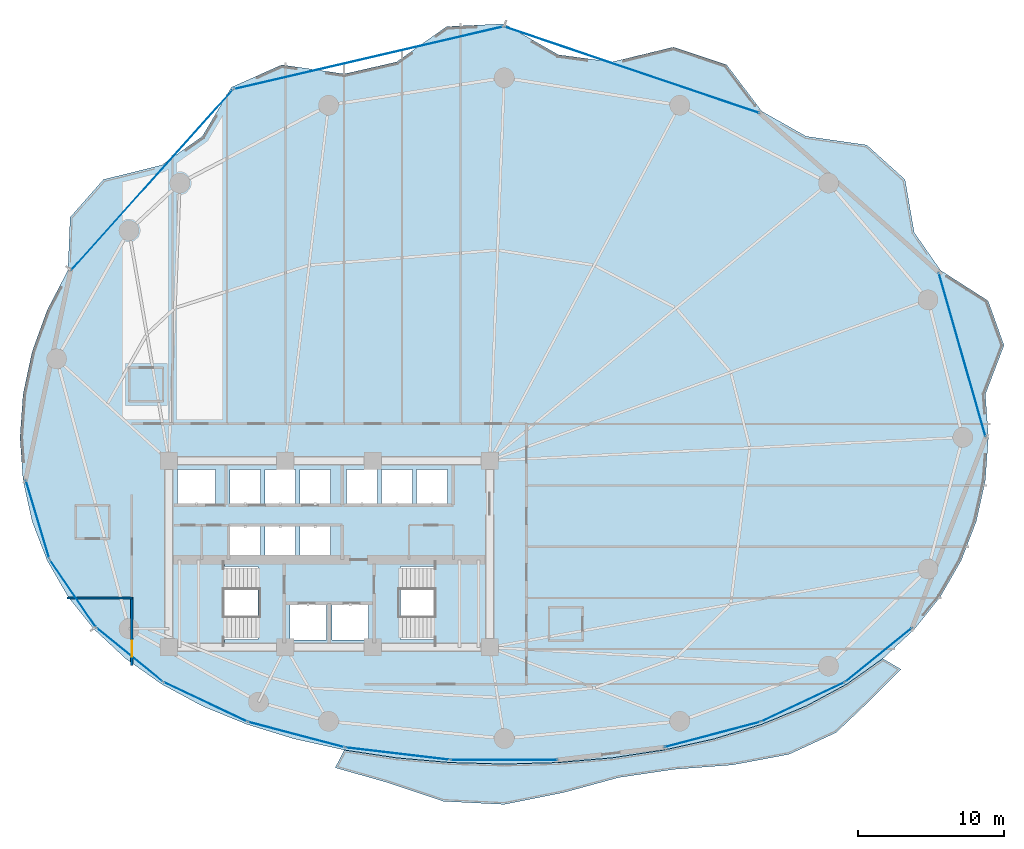
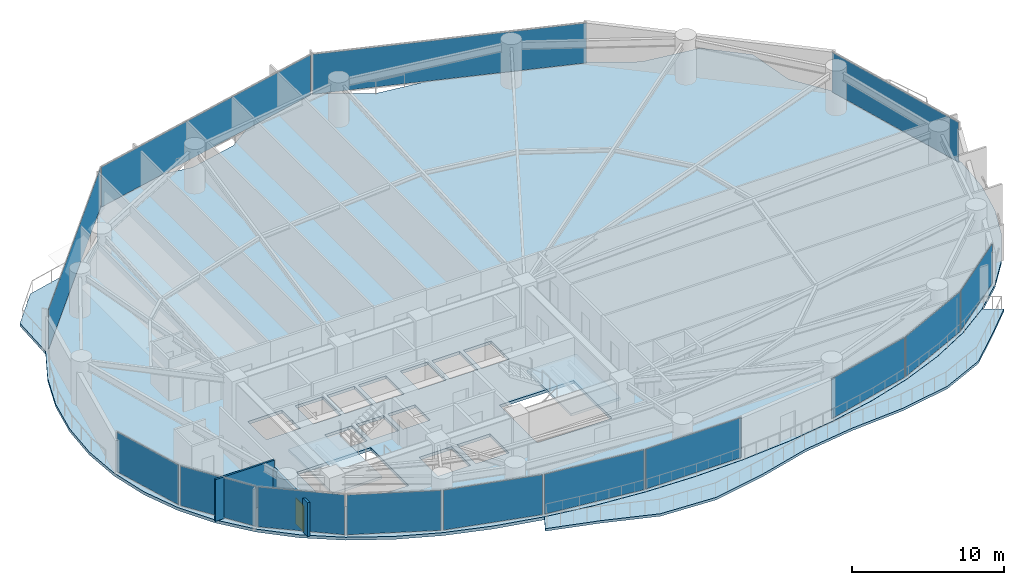
# One storey, part 25 of 31: 14 plates, 4 slabs, 2 walls, 1 door, 1 opening, 16 elements without a shape of their own.
"""IFC4 building model written with IfcOpenShell, lengths in metres."""

from ifc_helpers import new_model, si_unit, direction, frame, frame_2d, origin, origin_2d, place, context, subcontext, project, spatial, polyline, rectangle, outline, extrude, material, layer, layer_set, type_object, element, fill, aggregate, save


model = new_model("IFC4")

# Units and contexts
model_context = context("Model", 3, precision=1e-05, world=origin(), true_north=direction((0.0, 1.0)))
body_context = subcontext(model_context, "Body", "Model", "MODEL_VIEW")
ifc_project = project(units=[si_unit("LENGTHUNIT", "METRE"), si_unit("AREAUNIT", "SQUARE_METRE"), si_unit("VOLUMEUNIT", "CUBIC_METRE"), si_unit("PLANEANGLEUNIT", "RADIAN"), si_unit("MASSUNIT", "GRAM", prefix="KILO")], contexts=[model_context])

# Site, building, storey
site_placement = place(None, origin())
site = spatial("IfcSite", under=ifc_project, at=site_placement, CompositionType="ELEMENT")
building_placement = place(site_placement, origin())
building = spatial("IfcBuilding", under=site, at=building_placement, Name="Kazevale Care Tower and Concert Hall", CompositionType="ELEMENT")
storey_placement = place(building_placement, frame((0.0, 0.0, 81.60009765625)))
storey = spatial("IfcBuildingStorey", under=building, at=storey_placement, Name="L21", CompositionType="ELEMENT", Elevation=81.60009765625)

# Curtain wall, plate
ifc_material_1 = material(Name="Aluminium 6063-T6 and Low-E Glass", Category="aluminium")
ifc_layer_1 = layer(ifc_material_1, 0.179931640625)
ifc_layer_set_1 = layer_set([ifc_layer_1], Name="Aluminium 6063-T6 and Low-E Glass")
curtain_wall_type_1 = type_object("IfcCurtainWallType", Name="Convex Checkerboard Finned Curtain Wall CW-2", PredefinedType="NOTDEFINED", material=ifc_layer_set_1)
curtain_wall_1_placement = place(storey_placement, origin())
curtain_wall_1 = element("IfcCurtainWall", 1, at=curtain_wall_1_placement, inside=storey, type_object=curtain_wall_type_1, Name="cw:L21:f14", PredefinedType="NOTDEFINED")
ifc_material_2 = material(Name="Low-E Laminated Glass", Category="glass")
ifc_layer_2 = layer(ifc_material_2, 0.028076171875)
ifc_layer_set_2 = layer_set([ifc_layer_2], Name="Low-E Laminated Glass")
plate_type_1 = type_object("IfcPlateType", Name="CW-2 Low-E Glazing Panel 28mm", PredefinedType="CURTAIN_PANEL", material=ifc_layer_set_2)
plate_1_placement = place(storey_placement, frame((20.845458984375, 55.635009765625, 0.074951171875), z_axis=(0.0, 0.0, 1.0), x_axis=(0.667264908262, 0.744820476493, 0.0)))
plate_1 = element("IfcPlate", 2, at=plate_1_placement, type_object=plate_type_1, Name="CW-2 panel 1.1", PredefinedType="CURTAIN_PANEL", context=body_context, shape_type="SweptSolid", body=[
    extrude(rectangle(XDim=16.5634765625, YDim=0.028076171875, at=origin_2d()), origin(), (0.0, 0.0, 1.0), 3.2099609375),
])
aggregate(curtain_wall_1, [plate_1])

curtain_wall_2_placement = place(storey_placement, origin())
curtain_wall_2 = element("IfcCurtainWall", 3, at=curtain_wall_2_placement, inside=storey, type_object=curtain_wall_type_1, Name="cw:L21:f16", PredefinedType="NOTDEFINED")
plate_2_placement = place(storey_placement, frame((53.7490234375, 63.19140625, 0.074951171875), z_axis=(0.0, 0.0, 1.0), x_axis=(0.947202632135, -0.320635577685, 0.0)))
plate_2 = element("IfcPlate", 4, at=plate_2_placement, type_object=plate_type_1, Name="CW-2 panel 1.1", PredefinedType="CURTAIN_PANEL", context=body_context, shape_type="SweptSolid", body=[
    extrude(rectangle(XDim=18.40625, YDim=0.028076171875, at=origin_2d()), origin(), (0.0, 0.0, 1.0), 3.2099609375),
])
aggregate(curtain_wall_2, [plate_2])

ifc_layer_3 = layer(ifc_material_1, 0.179931640625)
ifc_layer_set_3 = layer_set([ifc_layer_3], Name="Aluminium 6063-T6 and Low-E Glass")
curtain_wall_type_2 = type_object("IfcCurtainWallType", Name="Convex Recessed Sunroom Curtain Wall CW-3", PredefinedType="NOTDEFINED", material=ifc_layer_set_3)
curtain_wall_3_placement = place(storey_placement, origin())
curtain_wall_3 = element("IfcCurtainWall", 5, at=curtain_wall_3_placement, inside=storey, type_object=curtain_wall_type_2, Name="cw:L21:f15", PredefinedType="NOTDEFINED")
ifc_layer_4 = layer(ifc_material_2, 0.028076171875)
ifc_layer_set_4 = layer_set([ifc_layer_4], Name="Low-E Laminated Glass")
plate_type_2 = type_object("IfcPlateType", Name="CW-3 Low-E Glazing Panel 28mm", PredefinedType="CURTAIN_PANEL", material=ifc_layer_set_4)
plate_3_placement = place(storey_placement, frame((35.6904296875, 64.015380859375, 0.074951171875), z_axis=(0.0, 0.0, 1.0), x_axis=(0.9740605916, 0.226287348061, 0.0)))
plate_3 = element("IfcPlate", 6, at=plate_3_placement, type_object=plate_type_2, Name="CW-3 panel 1.1", PredefinedType="CURTAIN_PANEL", context=body_context, shape_type="SweptSolid", body=[
    extrude(rectangle(XDim=18.87451171875, YDim=0.028076171875, at=origin_2d()), origin(), (0.0, 0.0, 1.0), 3.2099609375),
])
aggregate(curtain_wall_3, [plate_3])

ifc_layer_5 = layer(ifc_material_1, 0.179931640625)
ifc_layer_set_5 = layer_set([ifc_layer_5], Name="Aluminium 6063-T6 and Low-E Glass")
curtain_wall_type_3 = type_object("IfcCurtainWallType", Name="Waist & Upper Residential Curtain Wall CW-4", PredefinedType="NOTDEFINED", material=ifc_layer_set_5)
curtain_wall_4_placement = place(storey_placement, origin())
curtain_wall_4 = element("IfcCurtainWall", 7, at=curtain_wall_4_placement, inside=storey, type_object=curtain_wall_type_3, Name="cw:L21:f11", PredefinedType="NOTDEFINED")
ifc_layer_6 = layer(ifc_material_2, 0.030029296875)
ifc_layer_set_6 = layer_set([ifc_layer_6], Name="Low-E Laminated Glass")
plate_type_3 = type_object("IfcPlateType", Name="CW-4 Low-E Glazing Panel 30mm", PredefinedType="CURTAIN_PANEL", material=ifc_layer_set_6)
plate_4_placement = place(storey_placement, frame((15.423583984375, 27.298095703125, 0.080078125), z_axis=(0.0, 0.0, 1.0), x_axis=(-0.563665236801, 0.826003329789, 0.0)))
plate_4 = element("IfcPlate", 8, at=plate_4_placement, type_object=plate_type_3, Name="CW-4 panel 1.1", PredefinedType="CURTAIN_PANEL", context=body_context, shape_type="SweptSolid", body=[
    extrude(rectangle(XDim=5.50830078125, YDim=0.030029296875, at=origin_2d()), origin(), (0.0, 0.0, 1.0), 3.199951171875),
])
aggregate(curtain_wall_4, [plate_4])

curtain_wall_5_placement = place(storey_placement, origin())
curtain_wall_5 = element("IfcCurtainWall", 9, at=curtain_wall_5_placement, inside=storey, type_object=curtain_wall_type_3, Name="cw:L21:f12", PredefinedType="NOTDEFINED")
plate_5_placement = place(storey_placement, frame((13.006591796875, 32.364990234375, 0.080078125), z_axis=(0.0, 0.0, 1.0), x_axis=(-0.287895747909, 0.957661755703, 0.0)))
plate_5 = element("IfcPlate", 10, at=plate_5_placement, type_object=plate_type_3, Name="CW-4 panel 1.1", PredefinedType="CURTAIN_PANEL", context=body_context, shape_type="SweptSolid", body=[
    extrude(rectangle(XDim=5.532958984375, YDim=0.030029296875, at=origin_2d()), origin(), (0.0, 0.0, 1.0), 3.199951171875),
])
aggregate(curtain_wall_5, [plate_5])

curtain_wall_6_placement = place(storey_placement, origin())
curtain_wall_6 = element("IfcCurtainWall", 11, at=curtain_wall_6_placement, inside=storey, type_object=curtain_wall_type_3, Name="cw:L21:f18", PredefinedType="NOTDEFINED")
plate_6_placement = place(storey_placement, frame((76.402587890625, 43.660888671875, 0.080078125), z_axis=(0.0, 0.0, 1.0), x_axis=(0.274732344388, -0.961520742858, 0.0)))
plate_6 = element("IfcPlate", 12, at=plate_6_placement, type_object=plate_type_3, Name="CW-4 panel 1.1", PredefinedType="CURTAIN_PANEL", context=body_context, shape_type="SweptSolid", body=[
    extrude(rectangle(XDim=11.614990234375, YDim=0.030029296875, at=origin_2d()), origin(), (0.0, 0.0, 1.0), 3.199951171875),
])
aggregate(curtain_wall_6, [plate_6])

ifc_layer_7 = layer(ifc_material_1, 0.179931640625)
ifc_layer_set_7 = layer_set([ifc_layer_7], Name="Aluminium 6063-T6 and Low-E Glass")
curtain_wall_type_4 = type_object("IfcCurtainWallType", Name="Sheltered Concave Balcony Curtain Wall CW-5", PredefinedType="NOTDEFINED", material=ifc_layer_set_7)
curtain_wall_7_placement = place(storey_placement, origin())
curtain_wall_7 = element("IfcCurtainWall", 13, at=curtain_wall_7_placement, inside=storey, type_object=curtain_wall_type_4, Name="cw:L21:f02", PredefinedType="NOTDEFINED")
ifc_layer_8 = layer(ifc_material_2, 0.02587890625)
ifc_layer_set_8 = layer_set([ifc_layer_8], Name="Low-E Laminated Glass")
plate_type_4 = type_object("IfcPlateType", Name="CW-5 Low-E Glazing Panel 26mm", PredefinedType="CURTAIN_PANEL", material=ifc_layer_set_8)
plate_7_placement = place(storey_placement, frame((70.679931640625, 23.092041015625, 0.074951171875), z_axis=(0.0, 0.0, 1.0), x_axis=(-0.77659940539, -0.629994732952, 0.0)))
plate_7 = element("IfcPlate", 14, at=plate_7_placement, type_object=plate_type_4, Name="CW-5 panel 1.1", PredefinedType="CURTAIN_PANEL", context=body_context, shape_type="SweptSolid", body=[
    extrude(rectangle(XDim=5.770751953125, YDim=0.02587890625, at=origin_2d()), origin(), (0.0, 0.0, 1.0), 3.2099609375),
])
aggregate(curtain_wall_7, [plate_7])

curtain_wall_8_placement = place(storey_placement, origin())
curtain_wall_8 = element("IfcCurtainWall", 15, at=curtain_wall_8_placement, inside=storey, type_object=curtain_wall_type_4, Name="cw:L21:f03", PredefinedType="NOTDEFINED")
plate_8_placement = place(storey_placement, frame((65.491943359375, 19.863037109375, 0.074951171875), z_axis=(0.0, 0.0, 1.0), x_axis=(-0.904278859092, -0.426942320459, 0.0)))
plate_8 = element("IfcPlate", 16, at=plate_8_placement, type_object=plate_type_4, Name="CW-5 panel 1.1", PredefinedType="CURTAIN_PANEL", context=body_context, shape_type="SweptSolid", body=[
    extrude(rectangle(XDim=6.239501953125, YDim=0.02587890625, at=origin_2d()), origin(), (0.0, 0.0, 1.0), 3.2099609375),
])
aggregate(curtain_wall_8, [plate_8])

curtain_wall_9_placement = place(storey_placement, origin())
curtain_wall_9 = element("IfcCurtainWall", 17, at=curtain_wall_9_placement, inside=storey, type_object=curtain_wall_type_4, Name="cw:L21:f04", PredefinedType="NOTDEFINED")
plate_9_placement = place(storey_placement, frame((59.267578125, 17.6201171875, 0.074951171875), z_axis=(0.0, 0.0, 1.0), x_axis=(-0.966986230097, -0.254828630267, 0.0)))
plate_9 = element("IfcPlate", 18, at=plate_9_placement, type_object=plate_type_4, Name="CW-5 panel 1.1", PredefinedType="CURTAIN_PANEL", context=body_context, shape_type="SweptSolid", body=[
    extrude(rectangle(XDim=6.748779296875, YDim=0.02587890625, at=origin_2d()), origin(), (0.0, 0.0, 1.0), 3.2099609375),
])
aggregate(curtain_wall_9, [plate_9])

curtain_wall_10_placement = place(storey_placement, origin())
curtain_wall_10 = element("IfcCurtainWall", 19, at=curtain_wall_10_placement, inside=storey, type_object=curtain_wall_type_4, Name="cw:L21:f06", PredefinedType="NOTDEFINED")
plate_10_placement = place(storey_placement, frame((45.0, 15.885986328125, 0.074951171875), z_axis=(0.0, 0.0, 1.0), x_axis=(-1.0, 0.0, 0.0)))
plate_10 = element("IfcPlate", 20, at=plate_10_placement, type_object=plate_type_4, Name="CW-5 panel 1.1", PredefinedType="CURTAIN_PANEL", context=body_context, shape_type="SweptSolid", body=[
    extrude(rectangle(XDim=7.263916015625, YDim=0.02587890625, at=origin_2d()), origin(), (0.0, 0.0, 1.0), 3.2099609375),
])
aggregate(curtain_wall_10, [plate_10])

curtain_wall_11_placement = place(storey_placement, origin())
curtain_wall_11 = element("IfcCurtainWall", 21, at=curtain_wall_11_placement, inside=storey, type_object=curtain_wall_type_4, Name="cw:L21:f07", PredefinedType="NOTDEFINED")
plate_11_placement = place(storey_placement, frame((37.680419921875, 16.3134765625, 0.074951171875), z_axis=(0.0, 0.0, 1.0), x_axis=(-0.993070624294, 0.117519084253, 0.0)))
plate_11 = element("IfcPlate", 22, at=plate_11_placement, type_object=plate_type_4, Name="CW-5 panel 1.1", PredefinedType="CURTAIN_PANEL", context=body_context, shape_type="SweptSolid", body=[
    extrude(rectangle(XDim=7.12548828125, YDim=0.02587890625, at=origin_2d()), origin(), (0.0, 0.0, 1.0), 3.2099609375),
])
aggregate(curtain_wall_11, [plate_11])

curtain_wall_12_placement = place(storey_placement, origin())
curtain_wall_12 = element("IfcCurtainWall", 23, at=curtain_wall_12_placement, inside=storey, type_object=curtain_wall_type_4, Name="cw:L21:f08", PredefinedType="NOTDEFINED")
plate_12_placement = place(storey_placement, frame((30.732421875, 17.6201171875, 0.074951171875), z_axis=(0.0, 0.0, 1.0), x_axis=(-0.966986230097, 0.254828630267, 0.0)))
plate_12 = element("IfcPlate", 24, at=plate_12_placement, type_object=plate_type_4, Name="CW-5 panel 1.1", PredefinedType="CURTAIN_PANEL", context=body_context, shape_type="SweptSolid", body=[
    extrude(rectangle(XDim=6.748779296875, YDim=0.02587890625, at=origin_2d()), origin(), (0.0, 0.0, 1.0), 3.2099609375),
])
aggregate(curtain_wall_12, [plate_12])

curtain_wall_13_placement = place(storey_placement, origin())
curtain_wall_13 = element("IfcCurtainWall", 25, at=curtain_wall_13_placement, inside=storey, type_object=curtain_wall_type_4, Name="cw:L21:f09", PredefinedType="NOTDEFINED")
plate_13_placement = place(storey_placement, frame((24.508056640625, 19.863037109375, 0.074951171875), z_axis=(0.0, 0.0, 1.0), x_axis=(-0.904278859092, 0.426942320459, 0.0)))
plate_13 = element("IfcPlate", 26, at=plate_13_placement, type_object=plate_type_4, Name="CW-5 panel 1.1", PredefinedType="CURTAIN_PANEL", context=body_context, shape_type="SweptSolid", body=[
    extrude(rectangle(XDim=6.239501953125, YDim=0.02587890625, at=origin_2d()), origin(), (0.0, 0.0, 1.0), 3.2099609375),
])
aggregate(curtain_wall_13, [plate_13])

curtain_wall_14_placement = place(storey_placement, origin())
curtain_wall_14 = element("IfcCurtainWall", 27, at=curtain_wall_14_placement, inside=storey, type_object=curtain_wall_type_4, Name="cw:L21:f10", PredefinedType="NOTDEFINED")
plate_14_placement = place(storey_placement, frame((19.320068359375, 23.092041015625, 0.074951171875), z_axis=(0.0, 0.0, 1.0), x_axis=(-0.77659940539, 0.629994732952, 0.0)))
plate_14 = element("IfcPlate", 28, at=plate_14_placement, type_object=plate_type_4, Name="CW-5 panel 1.1", PredefinedType="CURTAIN_PANEL", context=body_context, shape_type="SweptSolid", body=[
    extrude(rectangle(XDim=5.770751953125, YDim=0.02587890625, at=origin_2d()), origin(), (0.0, 0.0, 1.0), 3.2099609375),
])
aggregate(curtain_wall_14, [plate_14])

# Slab
ifc_material_3 = material(Name="Concrete C40", Category="concrete")
ifc_layer_9 = layer(ifc_material_3, 0.199951171875)
ifc_layer_set_9 = layer_set([ifc_layer_9], Name="Concrete C40")
slab_type_1 = type_object("IfcSlabType", Name="Sinusoidal Concave Balcony Slab 200", PredefinedType="USERDEFINED", material=ifc_layer_set_9)
slab_1_placement = place(storey_placement, frame((0.0, 0.0, -0.2001953125)))
element("IfcSlab", 29, at=slab_1_placement, inside=storey, type_object=slab_type_1, Name="slab:L21:bal", ObjectType="BALCONY", PredefinedType="USERDEFINED", context=body_context, shape_type="SweptSolid", body=[
    extrude(outline(polyline([(72.2001953125, 22.100341796875), (70.050048828125, 19.9384765625), (67.748779296875, 17.751708984375), (64.51953125, 16.2626953125), (60.65234375, 15.53857421875), (56.644775390625, 15.2353515625), (52.84228515625, 14.673095703125), (49.06103515625, 13.643310546875), (45.0, 12.831298828125), (40.838623046875, 13.042236328125), (37.038818359375, 14.319580078125), (33.412353515625, 15.34716796875), (34.0322265625, 16.55908203125), (34.03369140625, 16.558837890625), (37.61181640625, 16.0205078125), (41.282470703125, 15.700927734375), (45.0, 15.594970703125), (48.717529296875, 15.700927734375), (52.38818359375, 16.0205078125), (55.96630859375, 16.558837890625), (59.40625, 17.323974609375), (62.665283203125, 18.324951171875), (65.701904296875, 19.571044921875), (68.478515625, 21.069091796875), (70.9599609375, 22.8232421875), (70.961181640625, 22.824462890625), (72.2001953125, 22.100341796875)])), origin(), (0.0, 0.0, 1.0), 0.2001953125),
])

# Stair, slab
stair_type = type_object("IfcStairType", Name="Exit Stair Assembly ST1-Z1", PredefinedType="HALF_TURN_STAIR", material=ifc_material_3)
stair_1_placement = place(storey_placement, origin())
stair_1 = element("IfcStair", 30, at=stair_1_placement, inside=storey, type_object=stair_type, Name="stair:L21:ST1", PredefinedType="HALF_TURN_STAIR")
ifc_layer_10 = layer(ifc_material_3, 0.199951171875)
ifc_layer_set_10 = layer_set([ifc_layer_10], Name="Concrete C40")
slab_type_2 = type_object("IfcSlabType", Name="Stair Half-Landing Slab ST1-Z1", PredefinedType="LANDING", material=ifc_layer_set_10)
slab_2_placement = place(storey_placement, frame((0.0, 0.0, 1.599853515625)))
slab_2 = element("IfcSlab", 31, at=slab_2_placement, type_object=slab_type_2, Name="ST1-Z1 landing 1", PredefinedType="LANDING", context=body_context, shape_type="SweptSolid", body=[
    extrude(outline(polyline([(22.050048828125, 23.699951171875), (25.81005859375, 23.699951171875), (25.81005859375, 29.5), (22.050048828125, 29.5), (22.050048828125, 23.699951171875)])), origin(), (0.0, 0.0, 1.0), 0.199951171875),
])
aggregate(stair_1, [slab_2])

stair_2_placement = place(storey_placement, origin())
stair_2 = element("IfcStair", 32, at=stair_2_placement, inside=storey, type_object=stair_type, Name="stair:L21:ST2", PredefinedType="HALF_TURN_STAIR")
slab_3_placement = place(storey_placement, frame((0.0, 0.0, 1.599853515625)))
slab_3 = element("IfcSlab", 33, at=slab_3_placement, type_object=slab_type_2, Name="ST1-Z1 landing 1", PredefinedType="LANDING", context=body_context, shape_type="SweptSolid", body=[
    extrude(outline(polyline([(40.18994140625, 23.699951171875), (43.949951171875, 23.699951171875), (43.949951171875, 29.5), (40.18994140625, 29.5), (40.18994140625, 23.699951171875)])), origin(), (0.0, 0.0, 1.0), 0.199951171875),
])
aggregate(stair_2, [slab_3])

# Slab
ifc_layer_11 = layer(ifc_material_3, 0.239990234375)
ifc_layer_set_11 = layer_set([ifc_layer_11], Name="Concrete C40")
slab_type_3 = type_object("IfcSlabType", Name="Tower Typical Floor Slab 240", PredefinedType="FLOOR", material=ifc_layer_set_11)
slab_4_placement = place(storey_placement, frame((0.0, 0.0, -0.239990234375)))
element("IfcSlab", 34, at=slab_4_placement, inside=storey, type_object=slab_type_3, Name="slab:L21:tw:1", PredefinedType="FLOOR", context=body_context, shape_type="SweptSolid", body=[
    extrude(outline(polyline([(78.199951171875, 38.0), (77.9912109375, 40.955810546875), (79.268798828125, 44.30859375), (78.177490234375, 47.36328125), (74.912109375, 49.45458984375), (73.111083984375, 52.045654296875), (72.4814453125, 55.67578125), (69.854736328125, 58.04638671875), (65.699951171875, 58.640380859375), (62.66357421875, 60.353515625), (60.2509765625, 63.54248046875), (56.609375, 64.759033203125), (52.3876953125, 63.738037109375), (48.71728515625, 64.23388671875), (45.0, 66.35009765625), (41.064453125, 66.171630859375), (37.6123046875, 63.738037109375), (34.03466796875, 62.91845703125), (29.7490234375, 63.54248046875), (26.299072265625, 62.004638671875), (24.300048828125, 58.640380859375), (21.524169921875, 56.66748046875), (17.5185546875, 55.67578125), (15.237548828125, 53.0830078125), (15.087890625, 49.45458984375), (13.6630859375, 46.719482421875), (12.63232421875, 43.87451171875), (12.0087890625, 40.955810546875), (11.800048828125, 38.0), (12.0087890625, 35.06494140625), (12.63232421875, 32.23388671875), (13.6630859375, 29.560791015625), (15.087890625, 27.084716796875), (16.888916015625, 24.833984375), (19.043212890625, 22.8271484375), (21.524169921875, 21.073486328125), (24.300048828125, 19.575439453125), (27.33642578125, 18.32958984375), (30.59521484375, 17.32861328125), (34.03466796875, 16.563720703125), (37.6123046875, 16.025390625), (41.28271484375, 15.705810546875), (45.0, 15.60009765625), (48.71728515625, 15.705810546875), (52.3876953125, 16.025390625), (55.96533203125, 16.563720703125), (59.40478515625, 17.32861328125), (62.66357421875, 18.32958984375), (65.699951171875, 19.575439453125), (68.475830078125, 21.073486328125), (70.956787109375, 22.8271484375), (73.111083984375, 24.833984375), (74.912109375, 27.084716796875), (76.3369140625, 29.560791015625), (77.36767578125, 32.23388671875), (77.9912109375, 35.06494140625), (78.199951171875, 38.0)]), holes=[polyline([(22.449951171875, 24.14990234375), (28.110107421875, 24.14990234375), (28.110107421875, 29.14990234375), (22.449951171875, 29.14990234375), (22.449951171875, 24.14990234375)]), polyline([(37.889892578125, 24.14990234375), (43.550048828125, 24.14990234375), (43.550048828125, 29.14990234375), (37.889892578125, 29.14990234375), (37.889892578125, 24.14990234375)]), polyline([(30.300048828125, 24.10009765625), (32.800048828125, 24.10009765625), (32.800048828125, 26.60009765625), (30.300048828125, 26.60009765625), (30.300048828125, 24.10009765625)]), polyline([(33.199951171875, 24.10009765625), (35.699951171875, 24.10009765625), (35.699951171875, 26.60009765625), (33.199951171875, 26.60009765625), (33.199951171875, 24.10009765625)]), polyline([(22.60009765625, 33.39990234375), (25.199951171875, 33.39990234375), (25.199951171875, 35.800048828125), (22.60009765625, 35.800048828125), (22.60009765625, 33.39990234375)]), polyline([(26.199951171875, 33.39990234375), (28.300048828125, 33.39990234375), (28.300048828125, 35.800048828125), (26.199951171875, 35.800048828125), (26.199951171875, 33.39990234375)]), polyline([(28.60009765625, 33.39990234375), (30.699951171875, 33.39990234375), (30.699951171875, 35.800048828125), (28.60009765625, 35.800048828125), (28.60009765625, 33.39990234375)]), polyline([(31.0, 33.39990234375), (33.10009765625, 33.39990234375), (33.10009765625, 35.800048828125), (31.0, 35.800048828125), (31.0, 33.39990234375)]), polyline([(34.199951171875, 33.39990234375), (36.300048828125, 33.39990234375), (36.300048828125, 35.800048828125), (34.199951171875, 35.800048828125), (34.199951171875, 33.39990234375)]), polyline([(36.60009765625, 33.39990234375), (38.699951171875, 33.39990234375), (38.699951171875, 35.800048828125), (36.60009765625, 35.800048828125), (36.60009765625, 33.39990234375)]), polyline([(39.0, 33.39990234375), (41.10009765625, 33.39990234375), (41.10009765625, 35.800048828125), (39.0, 35.800048828125), (39.0, 33.39990234375)]), polyline([(26.199951171875, 29.949951171875), (28.300048828125, 29.949951171875), (28.300048828125, 31.949951171875), (26.199951171875, 31.949951171875), (26.199951171875, 29.949951171875)]), polyline([(28.60009765625, 29.949951171875), (30.699951171875, 29.949951171875), (30.699951171875, 31.949951171875), (28.60009765625, 31.949951171875), (28.60009765625, 29.949951171875)]), polyline([(31.0, 29.949951171875), (33.10009765625, 29.949951171875), (33.10009765625, 31.949951171875), (31.0, 31.949951171875), (31.0, 29.949951171875)])]), origin(), (0.0, 0.0, 1.0), 0.239990234375),
])

# Wall
ifc_material_4 = material(Name="Acoustic Gypsum on Steel Stud", Category="steel")
ifc_layer_12 = layer(ifc_material_4, 0.139892578125)
ifc_layer_set_12 = layer_set([ifc_layer_12], Name="Acoustic Gypsum on Steel Stud")
wall_type_1 = type_object("IfcWallType", Name="Acoustic Care & Suite Partition 140", PredefinedType="PARTITIONING", material=ifc_layer_set_12)
wall_1_placement = place(storey_placement, frame((15.006103515625, 27.0, 0.0), z_axis=(0.0, 0.0, 1.0), x_axis=(1.0, 0.0, 0.0)))
element("IfcWall", 35, at=wall_1_placement, inside=storey, type_object=wall_type_1, Name="wall:L21:auto_028", PredefinedType="PARTITIONING", context=body_context, shape_type="SweptSolid", body=[
    extrude(rectangle(XDim=4.498779296875, YDim=0.139892578125, at=frame_2d((2.24951171875, 0.0))), origin(), (0.0, 0.0, 1.0), 3.35986328125),
])

# Wall, opening, door
ifc_material_5 = material(Name="Concrete C40 and Acoustic Gypsum", Category="concrete")
ifc_layer_13 = layer(ifc_material_5, 0.179931640625)
ifc_layer_set_13 = layer_set([ifc_layer_13], Name="Concrete C40 and Acoustic Gypsum")
wall_type_2 = type_object("IfcWallType", Name="Fire-Rated Corridor & Party Wall 180", PredefinedType="PARTITIONING", material=ifc_layer_set_13)
wall_2_placement = place(storey_placement, frame((19.47509765625, 22.362060546875, 0.0), z_axis=(0.0, 0.0, 1.0), x_axis=(0.0, 1.0, 0.0)))
wall_2 = element("IfcWall", 36, at=wall_2_placement, inside=storey, type_object=wall_type_2, Name="wall:L21:auto_014", PredefinedType="PARTITIONING", context=body_context, shape_type="SweptSolid", body=[
    extrude(rectangle(XDim=4.702880859375, YDim=0.179931640625, at=frame_2d((2.3515625, 0.0))), origin(), (0.0, 0.0, 1.0), 2.73779296875),
])
opening_placement = place(wall_2_placement, frame((0.60205078125, 0.0, 0.0)))
opening = element("IfcOpeningElement", 37, at=opening_placement, cuts=wall_2, Name="Opening ID-1100", PredefinedType="OPENING", context=body_context, shape_type="SweptSolid", body=[
    extrude(rectangle(XDim=1.10009765625, YDim=2.10009765625, at=frame_2d((0.550048828125, 1.050048828125))), frame((0.0, 0.099853515625, 0.0), z_axis=(0.0, -1.0, 0.0), x_axis=(1.0, 0.0, 0.0)), (0.0, 0.0, 1.0), 0.199951171875),
])
ifc_material_6 = material(Name="Oak Timber Fire Leaf", Category="wood")
door_type = type_object("IfcDoorType", Name="Care Bedroom Accessible Door 1100x2100", OperationType="NOTDEFINED", PredefinedType="DOOR", material=ifc_material_6)
door_placement = place(opening_placement, origin())
door = element("IfcDoor", 38, at=door_placement, inside=storey, type_object=door_type, Name="door:L21:ad_014", OperationType="SINGLE_SWING_LEFT", OverallHeight=2.10009765625, OverallWidth=1.10009765625, PredefinedType="DOOR", context=body_context, shape_type="SweptSolid", body=[
    extrude(rectangle(XDim=1.10009765625, YDim=2.10009765625, at=frame_2d((0.550048828125, 1.050048828125))), frame((0.0, 0.02490234375, 0.0), z_axis=(0.0, -1.0, 0.0), x_axis=(1.0, 0.0, 0.0)), (0.0, 0.0, 1.0), 0.050048828125),
])
fill(opening, door)

save(model, "model.ifc")
